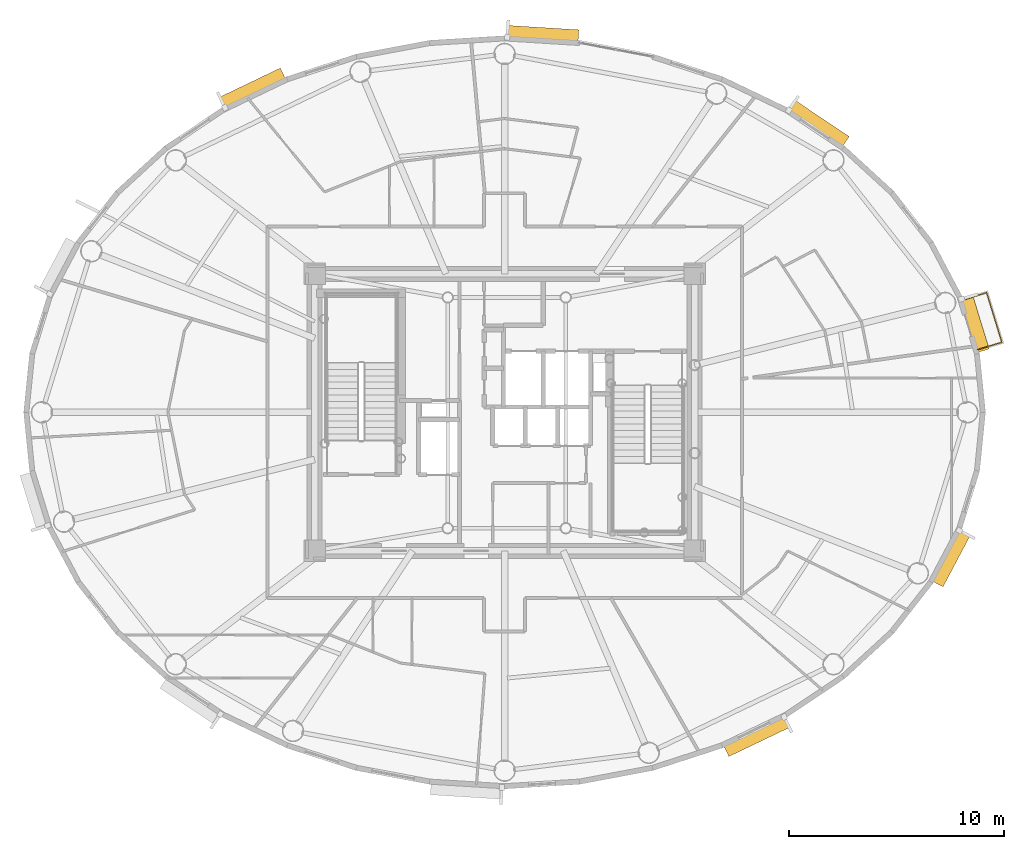
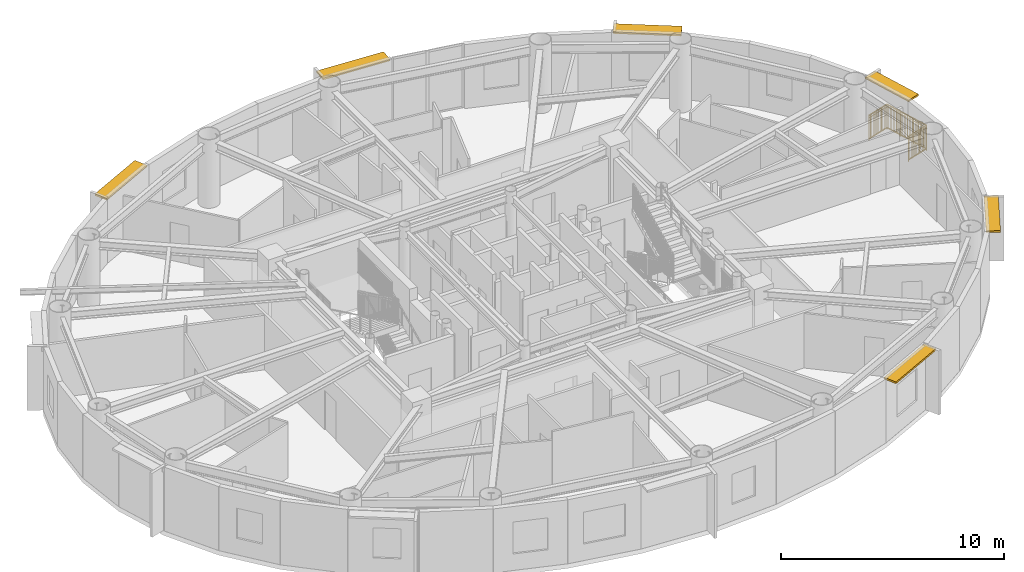
# One storey, part 17 of 17: 6 shading devices, 1 railing.
"""IFC4 building model written with IfcOpenShell, lengths in metres."""

from ifc_helpers import new_model, si_unit, direction, frame, origin, origin_2d, place, context, subcontext, project, spatial, rectangle, extrude, source, transform, mapped, material, layer, layer_set, type_object, element, save


model = new_model("IFC4")

# Units and contexts
model_context = context("Model", 3, precision=1e-05, world=origin(), true_north=direction((0.0, 1.0)))
body_context = subcontext(model_context, "Body", "Model", "MODEL_VIEW")
ifc_project = project(units=[si_unit("LENGTHUNIT", "METRE"), si_unit("AREAUNIT", "SQUARE_METRE"), si_unit("VOLUMEUNIT", "CUBIC_METRE"), si_unit("PLANEANGLEUNIT", "RADIAN"), si_unit("MASSUNIT", "GRAM", prefix="KILO")], contexts=[model_context])

# Site, building, storey
site_placement = place(None, origin())
site = spatial("IfcSite", under=ifc_project, at=site_placement, CompositionType="ELEMENT")
building_placement = place(site_placement, origin())
building = spatial("IfcBuilding", under=site, at=building_placement, Name="Linh Dai School and Residence Tower", CompositionType="ELEMENT")
storey_placement = place(building_placement, frame((0.0, 0.0, 280.5)))
storey = spatial("IfcBuildingStorey", under=building, at=storey_placement, Name="L69", CompositionType="ELEMENT", Elevation=280.5)

# Railing
ifc_material_1 = material(Name="Structural Steel S355JR", Category="steel")
railing_type = type_object("IfcRailingType", Name="RL-BAL-1400", PredefinedType="BALUSTRADE", material=ifc_material_1)
shared_shape_1 = source(origin(), body_context, "Body", "SweptSolid", [
    extrude(rectangle(XDim=0.048095703125, YDim=0.048095703125, at=origin_2d()), frame((0.0, 0.0, 1.3759765625), z_axis=(0.95606039398, 0.293169785386, 0.0), x_axis=(-0.293169785386, 0.95606039398, 0.0)), (0.0, 0.0, 1.0), 1.179931640625),
    extrude(rectangle(XDim=0.048095703125, YDim=0.048095703125, at=origin_2d()), frame((0.0, 0.0, 0.10009765625), z_axis=(0.95606039398, 0.293169785386, 0.0), x_axis=(-0.293169785386, 0.95606039398, 0.0)), (0.0, 0.0, 1.0), 1.179931640625),
    extrude(rectangle(XDim=0.030029296875, YDim=0.030029296875, at=origin_2d()), frame((0.0, 0.0, 1.239990234375), z_axis=(0.95606039398, 0.293169785386, 0.0), x_axis=(-0.293169785386, 0.95606039398, 0.0)), (0.0, 0.0, 1.0), 1.179931640625),
    extrude(rectangle(XDim=0.02001953125, YDim=0.02001953125, at=origin_2d()), frame((0.086669921875, 0.026611328125, 0.10009765625)), (0.0, 0.0, 1.0), 1.251708984375),
    extrude(rectangle(XDim=0.02001953125, YDim=0.02001953125, at=origin_2d()), frame((0.173583984375, 0.05322265625, 0.10009765625)), (0.0, 0.0, 1.0), 1.251708984375),
    extrude(rectangle(XDim=0.02001953125, YDim=0.02001953125, at=origin_2d()), frame((0.26025390625, 0.079833984375, 0.10009765625)), (0.0, 0.0, 1.0), 1.251708984375),
    extrude(rectangle(XDim=0.02001953125, YDim=0.02001953125, at=origin_2d()), frame((0.34716796875, 0.1064453125, 0.10009765625)), (0.0, 0.0, 1.0), 1.251708984375),
    extrude(rectangle(XDim=0.02001953125, YDim=0.02001953125, at=origin_2d()), frame((0.433837890625, 0.133056640625, 0.10009765625)), (0.0, 0.0, 1.0), 1.251708984375),
    extrude(rectangle(XDim=0.02001953125, YDim=0.02001953125, at=origin_2d()), frame((0.520751953125, 0.15966796875, 0.10009765625)), (0.0, 0.0, 1.0), 1.251708984375),
    extrude(rectangle(XDim=0.02001953125, YDim=0.02001953125, at=origin_2d()), frame((0.607421875, 0.186279296875, 0.10009765625)), (0.0, 0.0, 1.0), 1.251708984375),
    extrude(rectangle(XDim=0.02001953125, YDim=0.02001953125, at=origin_2d()), frame((0.6943359375, 0.212890625, 0.10009765625)), (0.0, 0.0, 1.0), 1.251708984375),
    extrude(rectangle(XDim=0.02001953125, YDim=0.02001953125, at=origin_2d()), frame((0.781005859375, 0.239501953125, 0.10009765625)), (0.0, 0.0, 1.0), 1.251708984375),
    extrude(rectangle(XDim=0.02001953125, YDim=0.02001953125, at=origin_2d()), frame((0.867919921875, 0.26611328125, 0.10009765625)), (0.0, 0.0, 1.0), 1.251708984375),
    extrude(rectangle(XDim=0.02001953125, YDim=0.02001953125, at=origin_2d()), frame((0.95458984375, 0.292724609375, 0.10009765625)), (0.0, 0.0, 1.0), 1.251708984375),
    extrude(rectangle(XDim=0.02001953125, YDim=0.02001953125, at=origin_2d()), frame((1.04150390625, 0.3193359375, 0.10009765625)), (0.0, 0.0, 1.0), 1.251708984375),
    extrude(rectangle(XDim=0.048095703125, YDim=0.048095703125, at=origin_2d()), frame((1.128173828125, 0.345947265625, 1.3759765625), z_axis=(0.293148070625, -0.956067052402, 0.0), x_axis=(0.956067052402, 0.293148070625, 0.0)), (0.0, 0.0, 1.0), 2.415283203125),
    extrude(rectangle(XDim=0.048095703125, YDim=0.048095703125, at=origin_2d()), frame((1.128173828125, 0.345947265625, 0.10009765625), z_axis=(0.293148070625, -0.956067052402, 0.0), x_axis=(0.956067052402, 0.293148070625, 0.0)), (0.0, 0.0, 1.0), 2.415283203125),
    extrude(rectangle(XDim=0.030029296875, YDim=0.030029296875, at=origin_2d()), frame((1.128173828125, 0.345947265625, 1.239990234375), z_axis=(0.293148070625, -0.956067052402, 0.0), x_axis=(0.956067052402, 0.293148070625, 0.0)), (0.0, 0.0, 1.0), 2.415283203125),
    extrude(rectangle(XDim=0.02001953125, YDim=0.02001953125, at=origin_2d()), frame((1.156494140625, 0.253662109375, 0.10009765625)), (0.0, 0.0, 1.0), 1.251708984375),
    extrude(rectangle(XDim=0.02001953125, YDim=0.02001953125, at=origin_2d()), frame((1.184814453125, 0.1611328125, 0.10009765625)), (0.0, 0.0, 1.0), 1.251708984375),
    extrude(rectangle(XDim=0.02001953125, YDim=0.02001953125, at=origin_2d()), frame((1.213134765625, 0.06884765625, 0.10009765625)), (0.0, 0.0, 1.0), 1.251708984375),
    extrude(rectangle(XDim=0.02001953125, YDim=0.02001953125, at=origin_2d()), frame((1.241455078125, -0.0234375, 0.10009765625)), (0.0, 0.0, 1.0), 1.251708984375),
    extrude(rectangle(XDim=0.02001953125, YDim=0.02001953125, at=origin_2d()), frame((1.269775390625, -0.115966796875, 0.10009765625)), (0.0, 0.0, 1.0), 1.251708984375),
    extrude(rectangle(XDim=0.02001953125, YDim=0.02001953125, at=origin_2d()), frame((1.298095703125, -0.208251953125, 0.10009765625)), (0.0, 0.0, 1.0), 1.251708984375),
    extrude(rectangle(XDim=0.02001953125, YDim=0.02001953125, at=origin_2d()), frame((1.326416015625, -0.300537109375, 0.10009765625)), (0.0, 0.0, 1.0), 1.251708984375),
    extrude(rectangle(XDim=0.02001953125, YDim=0.02001953125, at=origin_2d()), frame((1.383056640625, -0.4853515625, 0.10009765625)), (0.0, 0.0, 1.0), 1.251708984375),
    extrude(rectangle(XDim=0.02001953125, YDim=0.02001953125, at=origin_2d()), frame((1.411376953125, -0.57763671875, 0.10009765625)), (0.0, 0.0, 1.0), 1.251708984375),
    extrude(rectangle(XDim=0.02001953125, YDim=0.02001953125, at=origin_2d()), frame((1.439697265625, -0.670166015625, 0.10009765625)), (0.0, 0.0, 1.0), 1.251708984375),
    extrude(rectangle(XDim=0.02001953125, YDim=0.02001953125, at=origin_2d()), frame((1.468017578125, -0.762451171875, 0.10009765625)), (0.0, 0.0, 1.0), 1.251708984375),
    extrude(rectangle(XDim=0.02001953125, YDim=0.02001953125, at=origin_2d()), frame((1.496337890625, -0.854736328125, 0.10009765625)), (0.0, 0.0, 1.0), 1.251708984375),
    extrude(rectangle(XDim=0.02001953125, YDim=0.02001953125, at=origin_2d()), frame((1.524658203125, -0.947021484375, 0.10009765625)), (0.0, 0.0, 1.0), 1.251708984375),
    extrude(rectangle(XDim=0.02001953125, YDim=0.02001953125, at=origin_2d()), frame((1.552978515625, -1.03955078125, 0.10009765625)), (0.0, 0.0, 1.0), 1.251708984375),
    extrude(rectangle(XDim=0.02001953125, YDim=0.02001953125, at=origin_2d()), frame((1.581298828125, -1.1318359375, 0.10009765625)), (0.0, 0.0, 1.0), 1.251708984375),
    extrude(rectangle(XDim=0.02001953125, YDim=0.02001953125, at=origin_2d()), frame((1.637939453125, -1.316650390625, 0.10009765625)), (0.0, 0.0, 1.0), 1.251708984375),
    extrude(rectangle(XDim=0.02001953125, YDim=0.02001953125, at=origin_2d()), frame((1.666259765625, -1.408935546875, 0.10009765625)), (0.0, 0.0, 1.0), 1.251708984375),
    extrude(rectangle(XDim=0.02001953125, YDim=0.02001953125, at=origin_2d()), frame((1.694580078125, -1.501220703125, 0.10009765625)), (0.0, 0.0, 1.0), 1.251708984375),
    extrude(rectangle(XDim=0.02001953125, YDim=0.02001953125, at=origin_2d()), frame((1.722900390625, -1.59375, 0.10009765625)), (0.0, 0.0, 1.0), 1.251708984375),
    extrude(rectangle(XDim=0.02001953125, YDim=0.02001953125, at=origin_2d()), frame((1.751220703125, -1.68603515625, 0.10009765625)), (0.0, 0.0, 1.0), 1.251708984375),
    extrude(rectangle(XDim=0.02001953125, YDim=0.02001953125, at=origin_2d()), frame((1.779541015625, -1.7783203125, 0.10009765625)), (0.0, 0.0, 1.0), 1.251708984375),
    extrude(rectangle(XDim=0.02001953125, YDim=0.02001953125, at=origin_2d()), frame((1.807861328125, -1.870849609375, 0.10009765625)), (0.0, 0.0, 1.0), 1.251708984375),
    extrude(rectangle(XDim=0.048095703125, YDim=0.048095703125, at=origin_2d()), frame((1.836181640625, -1.963134765625, 1.3759765625), z_axis=(-0.95606039398, -0.293169785386, 0.0), x_axis=(0.293169785386, -0.95606039398, 0.0)), (0.0, 0.0, 1.0), 1.179931640625),
    extrude(rectangle(XDim=0.048095703125, YDim=0.048095703125, at=origin_2d()), frame((1.836181640625, -1.963134765625, 0.10009765625), z_axis=(-0.95606039398, -0.293169785386, 0.0), x_axis=(0.293169785386, -0.95606039398, 0.0)), (0.0, 0.0, 1.0), 1.179931640625),
    extrude(rectangle(XDim=0.030029296875, YDim=0.030029296875, at=origin_2d()), frame((1.836181640625, -1.963134765625, 1.239990234375), z_axis=(-0.95606039398, -0.293169785386, 0.0), x_axis=(0.293169785386, -0.95606039398, 0.0)), (0.0, 0.0, 1.0), 1.179931640625),
    extrude(rectangle(XDim=0.02001953125, YDim=0.02001953125, at=origin_2d()), frame((1.74951171875, -1.98974609375, 0.10009765625)), (0.0, 0.0, 1.0), 1.251708984375),
    extrude(rectangle(XDim=0.02001953125, YDim=0.02001953125, at=origin_2d()), frame((1.66259765625, -2.016357421875, 0.10009765625)), (0.0, 0.0, 1.0), 1.251708984375),
    extrude(rectangle(XDim=0.02001953125, YDim=0.02001953125, at=origin_2d()), frame((1.575927734375, -2.04296875, 0.10009765625)), (0.0, 0.0, 1.0), 1.251708984375),
    extrude(rectangle(XDim=0.02001953125, YDim=0.02001953125, at=origin_2d()), frame((1.489013671875, -2.069580078125, 0.10009765625)), (0.0, 0.0, 1.0), 1.251708984375),
    extrude(rectangle(XDim=0.02001953125, YDim=0.02001953125, at=origin_2d()), frame((1.40234375, -2.09619140625, 0.10009765625)), (0.0, 0.0, 1.0), 1.251708984375),
    extrude(rectangle(XDim=0.02001953125, YDim=0.02001953125, at=origin_2d()), frame((1.3154296875, -2.122802734375, 0.10009765625)), (0.0, 0.0, 1.0), 1.251708984375),
    extrude(rectangle(XDim=0.02001953125, YDim=0.02001953125, at=origin_2d()), frame((1.228759765625, -2.1494140625, 0.10009765625)), (0.0, 0.0, 1.0), 1.251708984375),
    extrude(rectangle(XDim=0.02001953125, YDim=0.02001953125, at=origin_2d()), frame((1.141845703125, -2.176025390625, 0.10009765625)), (0.0, 0.0, 1.0), 1.251708984375),
    extrude(rectangle(XDim=0.02001953125, YDim=0.02001953125, at=origin_2d()), frame((1.05517578125, -2.20263671875, 0.10009765625)), (0.0, 0.0, 1.0), 1.251708984375),
    extrude(rectangle(XDim=0.02001953125, YDim=0.02001953125, at=origin_2d()), frame((0.96826171875, -2.229248046875, 0.10009765625)), (0.0, 0.0, 1.0), 1.251708984375),
    extrude(rectangle(XDim=0.02001953125, YDim=0.02001953125, at=origin_2d()), frame((0.881591796875, -2.255859375, 0.10009765625)), (0.0, 0.0, 1.0), 1.251708984375),
    extrude(rectangle(XDim=0.02001953125, YDim=0.02001953125, at=origin_2d()), frame((0.794677734375, -2.282470703125, 0.10009765625)), (0.0, 0.0, 1.0), 1.251708984375),
    extrude(rectangle(XDim=0.0419921875, YDim=0.0419921875, at=origin_2d()), origin(), (0.0, 0.0, 1.0), 1.3759765625),
    extrude(rectangle(XDim=0.0419921875, YDim=0.0419921875, at=origin_2d()), frame((1.128173828125, 0.345947265625, 0.0)), (0.0, 0.0, 1.0), 1.3759765625),
    extrude(rectangle(XDim=0.0419921875, YDim=0.0419921875, at=origin_2d()), frame((1.3642578125, -0.423828125, 0.0)), (0.0, 0.0, 1.0), 1.3759765625),
    extrude(rectangle(XDim=0.0419921875, YDim=0.0419921875, at=origin_2d()), frame((1.60009765625, -1.193359375, 0.0)), (0.0, 0.0, 1.0), 1.3759765625),
    extrude(rectangle(XDim=0.0419921875, YDim=0.0419921875, at=origin_2d()), frame((1.836181640625, -1.963134765625, 0.0)), (0.0, 0.0, 1.0), 1.3759765625),
    extrude(rectangle(XDim=0.0419921875, YDim=0.0419921875, at=origin_2d()), frame((0.7080078125, -2.30908203125, 0.0)), (0.0, 0.0, 1.0), 1.3759765625),
])
railing_placement = place(storey_placement, frame((57.322265625, 32.22509765625, 0.0)))
element("IfcRailing", 1, at=railing_placement, inside=storey, type_object=railing_type, Name="L69 Balcony Safety Balustrade 02", PredefinedType="BALUSTRADE", context=body_context, shape_type="MappedRepresentation", body=[
    mapped(shared_shape_1, transform((0.0, 0.0, 0.0), x_axis=(1.0, 0.0, 0.0), y_axis=(0.0, 1.0, 0.0), z_axis=(0.0, 0.0, 1.0), scale=1.0)),
])

# Shading devices
ifc_material_2 = material(Name="Terracotta Ceramic Sunshade", Category="masonry")
ifc_layer = layer(ifc_material_2, 0.10009765625)
ifc_layer_set = layer_set([ifc_layer], Name="Terracotta Ceramic Sunshade")
shading_device_type = type_object("IfcShadingDeviceType", Name="SHD-TC-650", PredefinedType="USERDEFINED", material=ifc_layer_set)
shared_shape_2 = source(origin(), body_context, "Body", "SweptSolid", [
    extrude(rectangle(XDim=2.6640625, YDim=0.64990234375, at=origin_2d()), origin(), (0.0, 0.0, 1.0), 0.10009765625),
])
shading_device_1_placement = place(storey_placement, frame((57.867431640625, 31.129150390625, 3.3798828125), z_axis=(0.0, 0.0, 1.0), x_axis=(0.293140945944, -0.956069236934, 0.0)))
element("IfcShadingDevice", 2, at=shading_device_1_placement, inside=storey, type_object=shading_device_type, Name="L69 Terracotta Horizontal Sunshade Band 02", ObjectType="SUNSHADE", PredefinedType="USERDEFINED", context=body_context, shape_type="MappedRepresentation", body=[
    mapped(shared_shape_2, transform((0.0, 0.0, 0.0), x_axis=(1.0, 0.0, 0.0), y_axis=(0.0, 1.0, 0.0), z_axis=(0.0, 0.0, 1.0), scale=1.0)),
])
shared_shape_3 = source(origin(), body_context, "Body", "SweptSolid", [
    extrude(rectangle(XDim=3.069091796875, YDim=0.64990234375, at=origin_2d()), origin(), (0.0, 0.0, 1.0), 0.10009765625),
])
shading_device_2_placement = place(storey_placement, frame((50.591796875, 40.4296875, 3.3798828125), z_axis=(0.0, 0.0, 1.0), x_axis=(0.831243873264, -0.555907926874, 0.0)))
element("IfcShadingDevice", 3, at=shading_device_2_placement, inside=storey, type_object=shading_device_type, Name="L69 Terracotta Horizontal Sunshade Band 06", ObjectType="SUNSHADE", PredefinedType="USERDEFINED", context=body_context, shape_type="MappedRepresentation", body=[
    mapped(shared_shape_3, transform((0.0, 0.0, 0.0), x_axis=(1.0, 0.0, 0.0), y_axis=(0.0, 1.0, 0.0), z_axis=(0.0, 0.0, 1.0), scale=1.0)),
])
shared_shape_4 = source(origin(), body_context, "Body", "SweptSolid", [
    extrude(rectangle(XDim=3.355712890625, YDim=0.64990234375, at=origin_2d()), origin(), (0.0, 0.0, 1.0), 0.10009765625),
])
shading_device_3_placement = place(storey_placement, frame((37.761962890625, 44.592041015625, 3.3798828125), z_axis=(0.0, 0.0, 1.0), x_axis=(0.998106469364, -0.061509965157, 0.0)))
element("IfcShadingDevice", 4, at=shading_device_3_placement, inside=storey, type_object=shading_device_type, Name="L69 Terracotta Horizontal Sunshade Band 10", ObjectType="SUNSHADE", PredefinedType="USERDEFINED", context=body_context, shape_type="MappedRepresentation", body=[
    mapped(shared_shape_4, transform((0.0, 0.0, 0.0), x_axis=(1.0, 0.0, 0.0), y_axis=(0.0, 1.0, 0.0), z_axis=(0.0, 0.0, 1.0), scale=1.0)),
])
shared_shape_5 = source(origin(), body_context, "Body", "SweptSolid", [
    extrude(rectangle(XDim=3.1748046875, YDim=0.64990234375, at=origin_2d()), origin(), (0.0, 0.0, 1.0), 0.10009765625),
])
for number, where, z_axis, x_axis, name in (
    (5, (24.262939453125, 42.0537109375, 3.3798828125), (0.0, 0.0, 1.0), (0.901580240323, 0.432611916456, 0.0), "L69 Terracotta Horizontal Sunshade Band 14"),
    (6, (47.737060546875, 11.9462890625, 3.3798828125), (0.0, 0.0, 1.0), (-0.901580240323, -0.432611916456, 0.0), "L69 Terracotta Horizontal Sunshade Band 34"),
):
    element("IfcShadingDevice", number, at=place(storey_placement, frame(where, z_axis=z_axis, x_axis=x_axis)), inside=storey, type_object=shading_device_type, Name=name, ObjectType="SUNSHADE", PredefinedType="USERDEFINED", context=body_context, shape_type="MappedRepresentation", body=[
        mapped(shared_shape_5, transform((0.0, 0.0, 0.0), x_axis=(1.0, 0.0, 0.0), y_axis=(0.0, 1.0, 0.0), z_axis=(0.0, 0.0, 1.0), scale=1.0)),
    ])
shared_shape_6 = source(origin(), body_context, "Body", "SweptSolid", [
    extrude(rectangle(XDim=2.739501953125, YDim=0.64990234375, at=origin_2d()), origin(), (0.0, 0.0, 1.0), 0.10009765625),
])
shading_device_4_placement = place(storey_placement, frame((56.77294921875, 20.233154296875, 3.3798828125), z_axis=(0.0, 0.0, 1.0), x_axis=(-0.467603531201, -0.883938310975, 0.0)))
element("IfcShadingDevice", 7, at=shading_device_4_placement, inside=storey, type_object=shading_device_type, Name="L69 Terracotta Horizontal Sunshade Band 38", ObjectType="SUNSHADE", PredefinedType="USERDEFINED", context=body_context, shape_type="MappedRepresentation", body=[
    mapped(shared_shape_6, transform((0.0, 0.0, 0.0), x_axis=(1.0, 0.0, 0.0), y_axis=(0.0, 1.0, 0.0), z_axis=(0.0, 0.0, 1.0), scale=1.0)),
])

save(model, "model.ifc")
